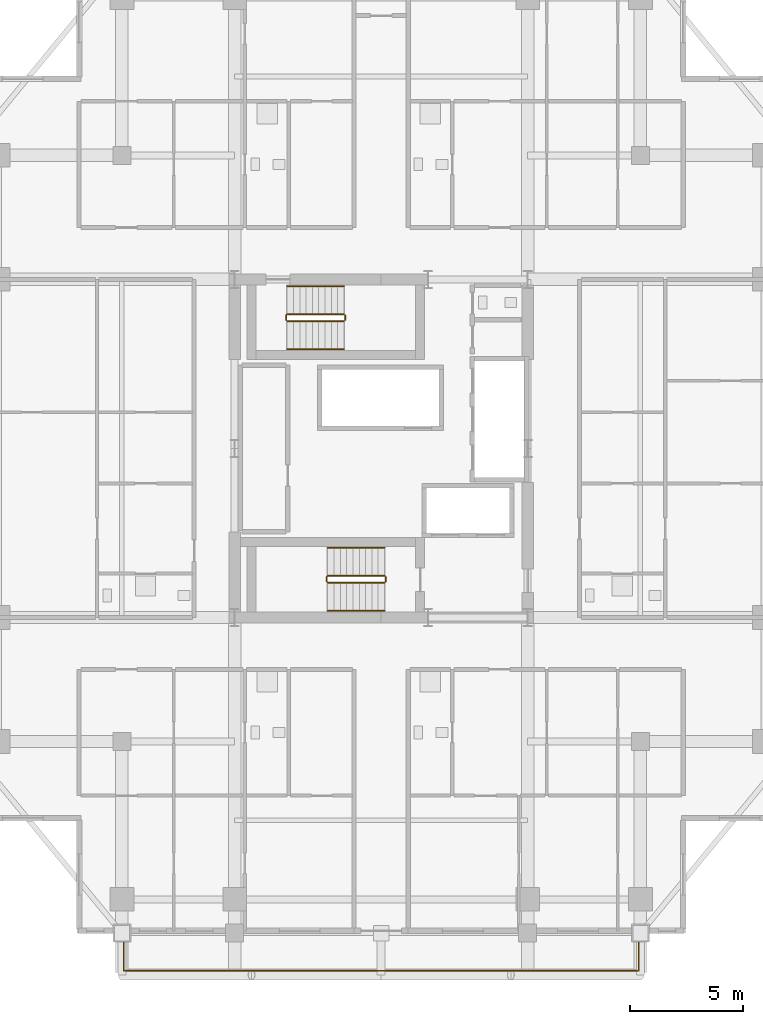
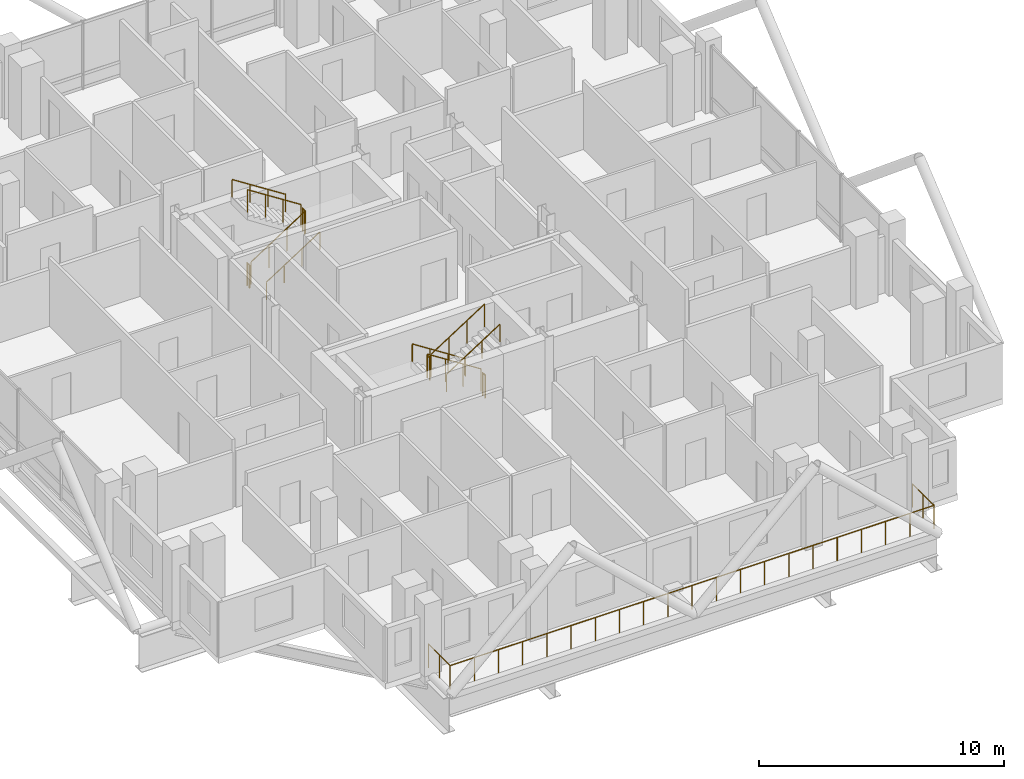
# One storey, part 22 of 23: 13 railings.
"""IFC4 building model written with IfcOpenShell, lengths in metres."""

from ifc_helpers import new_model, si_unit, direction, frame, origin, origin_2d, place, context, subcontext, project, spatial, circle, extrude, material, type_object, element, save


model = new_model("IFC4")

# Units and contexts
model_context = context("Model", 3, precision=1e-05, world=origin(), true_north=direction((0.0, 1.0)))
body_context = subcontext(model_context, "Body", "Model", "MODEL_VIEW")
ifc_project = project(units=[si_unit("LENGTHUNIT", "METRE"), si_unit("AREAUNIT", "SQUARE_METRE"), si_unit("VOLUMEUNIT", "CUBIC_METRE"), si_unit("PLANEANGLEUNIT", "RADIAN"), si_unit("MASSUNIT", "GRAM", prefix="KILO")], contexts=[model_context])

# Site, building, storey
site_placement = place(None, origin())
site = spatial("IfcSite", under=ifc_project, at=site_placement, CompositionType="ELEMENT")
building_placement = place(site_placement, origin())
building = spatial("IfcBuilding", under=site, at=building_placement, Name="Barlavira Tower and Art Museum", CompositionType="ELEMENT")
storey_placement = place(building_placement, frame((0.0, 0.0, 165.60009765625)))
storey = spatial("IfcBuildingStorey", under=building, at=storey_placement, Name="L42", CompositionType="ELEMENT", Elevation=165.60009765625)

# Railings
ifc_material_1 = material(Name="Brushed stainless steel", Category="steel")
railing_type_1 = type_object("IfcRailingType", Name="Interior Void and Landing Guard Railing 1150", PredefinedType="GUARDRAIL", material=ifc_material_1)
railing_1_placement = place(storey_placement, frame((0.14990234375, -5.64990234375, 0.179931640625)))
element("IfcRailing", 1, at=railing_1_placement, inside=storey, type_object=railing_type_1, Name="L42 ST-T1 stair guard 1", PredefinedType="GUARDRAIL", context=body_context, shape_type="SweptSolid", body=[
    extrude(circle(Radius=0.02392578125, at=origin_2d()), frame((0.0, 0.0, 1.1259765625), z_axis=(-0.841199657755, 0.0, 0.540724639528), x_axis=(0.0, -1.0, 0.0)), (0.0, 0.0, 1.0), 2.995849609375),
    extrude(circle(Radius=0.02099609375, at=origin_2d()), origin(), (0.0, 0.0, 1.0), 1.101806640625),
    extrude(circle(Radius=0.02099609375, at=origin_2d()), frame((-0.840087890625, 0.0, 0.5400390625)), (0.0, 0.0, 1.0), 1.101806640625),
    extrude(circle(Radius=0.02099609375, at=origin_2d()), frame((-1.679931640625, 0.0, 1.079833984375)), (0.0, 0.0, 1.0), 1.101806640625),
    extrude(circle(Radius=0.02099609375, at=origin_2d()), frame((-2.52001953125, 0.0, 1.619873046875)), (0.0, 0.0, 1.0), 1.101806640625),
])
railing_2_placement = place(storey_placement, frame((-2.419921875, -5.699951171875, 1.7998046875)))
element("IfcRailing", 2, at=railing_2_placement, inside=storey, type_object=railing_type_1, Name="L42 ST-T1 stair guard 2", PredefinedType="GUARDRAIL", context=body_context, shape_type="SweptSolid", body=[
    extrude(circle(Radius=0.02392578125, at=origin_2d()), frame((0.0, 0.0, 1.1259765625), z_axis=(0.0, -1.0, 0.0), x_axis=(1.0, 0.0, 0.0)), (0.0, 0.0, 1.0), 0.199951171875),
    extrude(circle(Radius=0.02099609375, at=origin_2d()), origin(), (0.0, 0.0, 1.0), 1.101806640625),
    extrude(circle(Radius=0.02099609375, at=origin_2d()), frame((0.0, -0.199951171875, 0.0)), (0.0, 0.0, 1.0), 1.101806640625),
])
railing_3_placement = place(storey_placement, frame((-2.3701171875, -5.949951171875, 1.97998046875)))
element("IfcRailing", 3, at=railing_3_placement, inside=storey, type_object=railing_type_1, Name="L42 ST-T1 stair guard 3", PredefinedType="GUARDRAIL", context=body_context, shape_type="SweptSolid", body=[
    extrude(circle(Radius=0.02392578125, at=origin_2d()), frame((0.0, 0.0, 1.1259765625), z_axis=(0.841199657755, 0.0, 0.540724639528), x_axis=(0.0, 1.0, 0.0)), (0.0, 0.0, 1.0), 2.995849609375),
    extrude(circle(Radius=0.02099609375, at=origin_2d()), origin(), (0.0, 0.0, 1.0), 1.101806640625),
    extrude(circle(Radius=0.02099609375, at=origin_2d()), frame((0.840087890625, 0.0, 0.5400390625)), (0.0, 0.0, 1.0), 1.101806640625),
    extrude(circle(Radius=0.02099609375, at=origin_2d()), frame((1.679931640625, 0.0, 1.079833984375)), (0.0, 0.0, 1.0), 1.101806640625),
    extrude(circle(Radius=0.02099609375, at=origin_2d()), frame((2.52001953125, 0.0, 1.619873046875)), (0.0, 0.0, 1.0), 1.101806640625),
])
railing_4_placement = place(storey_placement, frame((0.199951171875, -5.699951171875, 0.0)))
element("IfcRailing", 4, at=railing_4_placement, inside=storey, type_object=railing_type_1, Name="L42 ST-T1 stair guard 4", PredefinedType="GUARDRAIL", context=body_context, shape_type="SweptSolid", body=[
    extrude(circle(Radius=0.02392578125, at=origin_2d()), frame((0.0, 0.0, 1.1259765625), z_axis=(0.0, -1.0, 0.0), x_axis=(1.0, 0.0, 0.0)), (0.0, 0.0, 1.0), 0.199951171875),
    extrude(circle(Radius=0.02099609375, at=origin_2d()), origin(), (0.0, 0.0, 1.0), 1.101806640625),
    extrude(circle(Radius=0.02099609375, at=origin_2d()), frame((0.0, -0.199951171875, 0.0)), (0.0, 0.0, 1.0), 1.101806640625),
])
railing_5_placement = place(storey_placement, frame((-4.169921875, 5.64990234375, 0.179931640625)))
element("IfcRailing", 5, at=railing_5_placement, inside=storey, type_object=railing_type_1, Name="L42 ST-T2 stair guard 1", PredefinedType="GUARDRAIL", context=body_context, shape_type="SweptSolid", body=[
    extrude(circle(Radius=0.02392578125, at=origin_2d()), frame((0.0, 0.0, 1.1259765625), z_axis=(0.841199657755, 0.0, 0.540724639528), x_axis=(0.0, 1.0, 0.0)), (0.0, 0.0, 1.0), 2.995849609375),
    extrude(circle(Radius=0.02099609375, at=origin_2d()), origin(), (0.0, 0.0, 1.0), 1.101806640625),
    extrude(circle(Radius=0.02099609375, at=origin_2d()), frame((0.840087890625, 0.0, 0.5400390625)), (0.0, 0.0, 1.0), 1.101806640625),
    extrude(circle(Radius=0.02099609375, at=origin_2d()), frame((1.679931640625, 0.0, 1.079833984375)), (0.0, 0.0, 1.0), 1.101806640625),
    extrude(circle(Radius=0.02099609375, at=origin_2d()), frame((2.52001953125, 0.0, 1.619873046875)), (0.0, 0.0, 1.0), 1.101806640625),
])
railing_6_placement = place(storey_placement, frame((-1.60009765625, 5.699951171875, 1.7998046875)))
element("IfcRailing", 6, at=railing_6_placement, inside=storey, type_object=railing_type_1, Name="L42 ST-T2 stair guard 2", PredefinedType="GUARDRAIL", context=body_context, shape_type="SweptSolid", body=[
    extrude(circle(Radius=0.02392578125, at=origin_2d()), frame((0.0, 0.0, 1.1259765625), z_axis=(0.0, 1.0, 0.0), x_axis=(-1.0, 0.0, 0.0)), (0.0, 0.0, 1.0), 0.199951171875),
    extrude(circle(Radius=0.02099609375, at=origin_2d()), origin(), (0.0, 0.0, 1.0), 1.101806640625),
    extrude(circle(Radius=0.02099609375, at=origin_2d()), frame((0.0, 0.199951171875, 0.0)), (0.0, 0.0, 1.0), 1.101806640625),
])
railing_7_placement = place(storey_placement, frame((-1.64990234375, 5.949951171875, 1.97998046875)))
element("IfcRailing", 7, at=railing_7_placement, inside=storey, type_object=railing_type_1, Name="L42 ST-T2 stair guard 3", PredefinedType="GUARDRAIL", context=body_context, shape_type="SweptSolid", body=[
    extrude(circle(Radius=0.02392578125, at=origin_2d()), frame((0.0, 0.0, 1.1259765625), z_axis=(-0.841199657755, 0.0, 0.540724639528), x_axis=(0.0, -1.0, 0.0)), (0.0, 0.0, 1.0), 2.995849609375),
    extrude(circle(Radius=0.02099609375, at=origin_2d()), origin(), (0.0, 0.0, 1.0), 1.101806640625),
    extrude(circle(Radius=0.02099609375, at=origin_2d()), frame((-0.840087890625, 0.0, 0.5400390625)), (0.0, 0.0, 1.0), 1.101806640625),
    extrude(circle(Radius=0.02099609375, at=origin_2d()), frame((-1.679931640625, 0.0, 1.079833984375)), (0.0, 0.0, 1.0), 1.101806640625),
    extrude(circle(Radius=0.02099609375, at=origin_2d()), frame((-2.52001953125, 0.0, 1.619873046875)), (0.0, 0.0, 1.0), 1.101806640625),
])
railing_8_placement = place(storey_placement, frame((-4.219970703125, 5.699951171875, 0.0)))
element("IfcRailing", 8, at=railing_8_placement, inside=storey, type_object=railing_type_1, Name="L42 ST-T2 stair guard 4", PredefinedType="GUARDRAIL", context=body_context, shape_type="SweptSolid", body=[
    extrude(circle(Radius=0.02392578125, at=origin_2d()), frame((0.0, 0.0, 1.1259765625), z_axis=(0.0, 1.0, 0.0), x_axis=(-1.0, 0.0, 0.0)), (0.0, 0.0, 1.0), 0.199951171875),
    extrude(circle(Radius=0.02099609375, at=origin_2d()), origin(), (0.0, 0.0, 1.0), 1.101806640625),
    extrude(circle(Radius=0.02099609375, at=origin_2d()), frame((0.0, 0.199951171875, 0.0)), (0.0, 0.0, 1.0), 1.101806640625),
])
railing_type_2 = type_object("IfcRailingType", Name="Stair Pitch Tubular Steel Handrail 920", PredefinedType="HANDRAIL", material=ifc_material_1)
railing_9_placement = place(storey_placement, frame((0.14990234375, -4.39990234375, 0.179931640625)))
element("IfcRailing", 9, at=railing_9_placement, inside=storey, type_object=railing_type_2, Name="L42 ST-T1 stair handrail 1", PredefinedType="HANDRAIL", context=body_context, shape_type="SweptSolid", body=[
    extrude(circle(Radius=0.02392578125, at=origin_2d()), frame((0.0, 0.0, 0.8759765625), z_axis=(-0.841199657755, 0.0, 0.540724639528), x_axis=(0.0, -1.0, 0.0)), (0.0, 0.0, 1.0), 2.995849609375),
    extrude(circle(Radius=0.02099609375, at=origin_2d()), origin(), (0.0, 0.0, 1.0), 0.851806640625),
    extrude(circle(Radius=0.02099609375, at=origin_2d()), frame((-0.840087890625, 0.0, 0.5400390625)), (0.0, 0.0, 1.0), 0.851806640625),
    extrude(circle(Radius=0.02099609375, at=origin_2d()), frame((-1.679931640625, 0.0, 1.079833984375)), (0.0, 0.0, 1.0), 0.851806640625),
    extrude(circle(Radius=0.02099609375, at=origin_2d()), frame((-2.52001953125, 0.0, 1.619873046875)), (0.0, 0.0, 1.0), 0.851806640625),
])
for number, where, name in (
    (10, (-2.3701171875, -7.199951171875, 1.97998046875), "L42 ST-T1 stair handrail 2"),
    (11, (-4.169921875, 4.39990234375, 0.179931640625), "L42 ST-T2 stair handrail 1"),
):
    element("IfcRailing", number, at=place(storey_placement, frame(where)), inside=storey, type_object=railing_type_2, Name=name, PredefinedType="HANDRAIL", context=body_context, shape_type="SweptSolid", body=[
        extrude(circle(Radius=0.02392578125, at=origin_2d()), frame((0.0, 0.0, 0.8759765625), z_axis=(0.841199657755, 0.0, 0.540724639528), x_axis=(0.0, 1.0, 0.0)), (0.0, 0.0, 1.0), 2.995849609375),
        extrude(circle(Radius=0.02099609375, at=origin_2d()), origin(), (0.0, 0.0, 1.0), 0.851806640625),
        extrude(circle(Radius=0.02099609375, at=origin_2d()), frame((0.840087890625, 0.0, 0.5400390625)), (0.0, 0.0, 1.0), 0.851806640625),
        extrude(circle(Radius=0.02099609375, at=origin_2d()), frame((1.679931640625, 0.0, 1.079833984375)), (0.0, 0.0, 1.0), 0.851806640625),
        extrude(circle(Radius=0.02099609375, at=origin_2d()), frame((2.52001953125, 0.0, 1.619873046875)), (0.0, 0.0, 1.0), 0.851806640625),
    ])
railing_10_placement = place(storey_placement, frame((-1.64990234375, 7.199951171875, 1.97998046875)))
element("IfcRailing", 12, at=railing_10_placement, inside=storey, type_object=railing_type_2, Name="L42 ST-T2 stair handrail 2", PredefinedType="HANDRAIL", context=body_context, shape_type="SweptSolid", body=[
    extrude(circle(Radius=0.02392578125, at=origin_2d()), frame((0.0, 0.0, 0.8759765625), z_axis=(-0.841199657755, 0.0, 0.540724639528), x_axis=(0.0, -1.0, 0.0)), (0.0, 0.0, 1.0), 2.995849609375),
    extrude(circle(Radius=0.02099609375, at=origin_2d()), origin(), (0.0, 0.0, 1.0), 0.851806640625),
    extrude(circle(Radius=0.02099609375, at=origin_2d()), frame((-0.840087890625, 0.0, 0.5400390625)), (0.0, 0.0, 1.0), 0.851806640625),
    extrude(circle(Radius=0.02099609375, at=origin_2d()), frame((-1.679931640625, 0.0, 1.079833984375)), (0.0, 0.0, 1.0), 0.851806640625),
    extrude(circle(Radius=0.02099609375, at=origin_2d()), frame((-2.52001953125, 0.0, 1.619873046875)), (0.0, 0.0, 1.0), 0.851806640625),
])
ifc_material_2 = material(Name="Laminated safety glass and stainless steel", Category="steel")
railing_type_3 = type_object("IfcRailingType", Name="Terrace and Wind-Floor Laminated Glass Balustrade 1200", PredefinedType="BALUSTRADE", material=ifc_material_2)
railing_11_placement = place(storey_placement, frame((-11.419921875, -21.39990234375, 0.0)))
element("IfcRailing", 13, at=railing_11_placement, inside=storey, type_object=railing_type_3, Name="L42 S Setback Terrace Balustrade", PredefinedType="BALUSTRADE", context=body_context, shape_type="SweptSolid", body=[
    extrude(circle(Radius=0.02392578125, at=origin_2d()), frame((0.0, 0.0, 1.17578125), z_axis=(0.0, -1.0, 0.0), x_axis=(1.0, 0.0, 0.0)), (0.0, 0.0, 1.0), 1.77001953125),
    extrude(circle(Radius=0.02392578125, at=origin_2d()), frame((0.0, -1.77001953125, 1.17578125), z_axis=(1.0, 0.0, 0.0), x_axis=(0.0, 1.0, 0.0)), (0.0, 0.0, 1.0), 22.83984375),
    extrude(circle(Radius=0.02392578125, at=origin_2d()), frame((22.83984375, -1.77001953125, 1.17578125), z_axis=(0.0, 1.0, 0.0), x_axis=(-1.0, 0.0, 0.0)), (0.0, 0.0, 1.0), 1.77001953125),
    extrude(circle(Radius=0.02099609375, at=origin_2d()), origin(), (0.0, 0.0, 1.0), 1.15185546875),
    extrude(circle(Radius=0.02099609375, at=origin_2d()), frame((0.0, -0.885009765625, 0.0)), (0.0, 0.0, 1.0), 1.15185546875),
    extrude(circle(Radius=0.02099609375, at=origin_2d()), frame((0.0, -1.77001953125, 0.0)), (0.0, 0.0, 1.0), 1.15185546875),
    extrude(circle(Radius=0.02099609375, at=origin_2d()), frame((1.14208984375, -1.77001953125, 0.0)), (0.0, 0.0, 1.0), 1.15185546875),
    extrude(circle(Radius=0.02099609375, at=origin_2d()), frame((2.283935546875, -1.77001953125, 0.0)), (0.0, 0.0, 1.0), 1.15185546875),
    extrude(circle(Radius=0.02099609375, at=origin_2d()), frame((3.426025390625, -1.77001953125, 0.0)), (0.0, 0.0, 1.0), 1.15185546875),
    extrude(circle(Radius=0.02099609375, at=origin_2d()), frame((4.56787109375, -1.77001953125, 0.0)), (0.0, 0.0, 1.0), 1.15185546875),
    extrude(circle(Radius=0.02099609375, at=origin_2d()), frame((5.7099609375, -1.77001953125, 0.0)), (0.0, 0.0, 1.0), 1.15185546875),
    extrude(circle(Radius=0.02099609375, at=origin_2d()), frame((6.85205078125, -1.77001953125, 0.0)), (0.0, 0.0, 1.0), 1.15185546875),
    extrude(circle(Radius=0.02099609375, at=origin_2d()), frame((7.993896484375, -1.77001953125, 0.0)), (0.0, 0.0, 1.0), 1.15185546875),
    extrude(circle(Radius=0.02099609375, at=origin_2d()), frame((9.135986328125, -1.77001953125, 0.0)), (0.0, 0.0, 1.0), 1.15185546875),
    extrude(circle(Radius=0.02099609375, at=origin_2d()), frame((10.27783203125, -1.77001953125, 0.0)), (0.0, 0.0, 1.0), 1.15185546875),
    extrude(circle(Radius=0.02099609375, at=origin_2d()), frame((11.419921875, -1.77001953125, 0.0)), (0.0, 0.0, 1.0), 1.15185546875),
    extrude(circle(Radius=0.02099609375, at=origin_2d()), frame((12.56201171875, -1.77001953125, 0.0)), (0.0, 0.0, 1.0), 1.15185546875),
    extrude(circle(Radius=0.02099609375, at=origin_2d()), frame((13.703857421875, -1.77001953125, 0.0)), (0.0, 0.0, 1.0), 1.15185546875),
    extrude(circle(Radius=0.02099609375, at=origin_2d()), frame((14.845947265625, -1.77001953125, 0.0)), (0.0, 0.0, 1.0), 1.15185546875),
    extrude(circle(Radius=0.02099609375, at=origin_2d()), frame((15.98779296875, -1.77001953125, 0.0)), (0.0, 0.0, 1.0), 1.15185546875),
    extrude(circle(Radius=0.02099609375, at=origin_2d()), frame((17.1298828125, -1.77001953125, 0.0)), (0.0, 0.0, 1.0), 1.15185546875),
    extrude(circle(Radius=0.02099609375, at=origin_2d()), frame((18.27197265625, -1.77001953125, 0.0)), (0.0, 0.0, 1.0), 1.15185546875),
    extrude(circle(Radius=0.02099609375, at=origin_2d()), frame((19.413818359375, -1.77001953125, 0.0)), (0.0, 0.0, 1.0), 1.15185546875),
    extrude(circle(Radius=0.02099609375, at=origin_2d()), frame((20.555908203125, -1.77001953125, 0.0)), (0.0, 0.0, 1.0), 1.15185546875),
    extrude(circle(Radius=0.02099609375, at=origin_2d()), frame((21.69775390625, -1.77001953125, 0.0)), (0.0, 0.0, 1.0), 1.15185546875),
    extrude(circle(Radius=0.02099609375, at=origin_2d()), frame((22.83984375, -1.77001953125, 0.0)), (0.0, 0.0, 1.0), 1.15185546875),
    extrude(circle(Radius=0.02099609375, at=origin_2d()), frame((22.83984375, -0.885009765625, 0.0)), (0.0, 0.0, 1.0), 1.15185546875),
    extrude(circle(Radius=0.02099609375, at=origin_2d()), frame((22.83984375, 0.0, 0.0)), (0.0, 0.0, 1.0), 1.15185546875),
])

save(model, "model.ifc")
